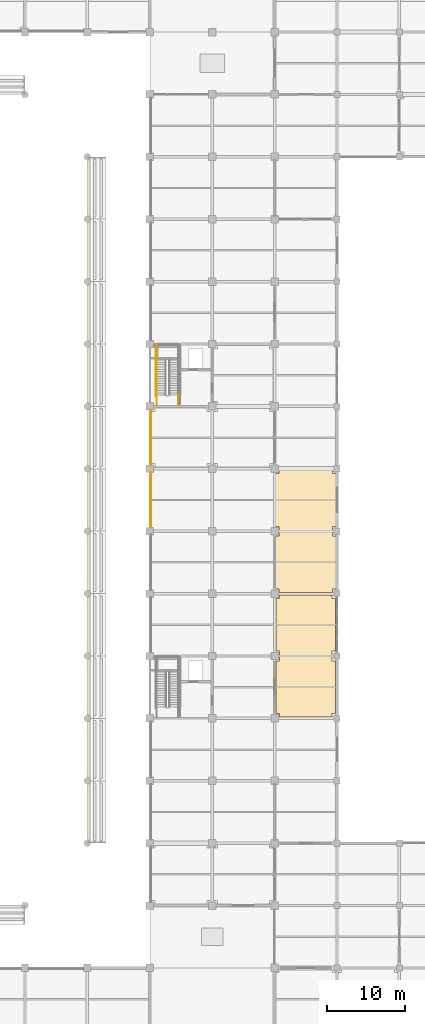
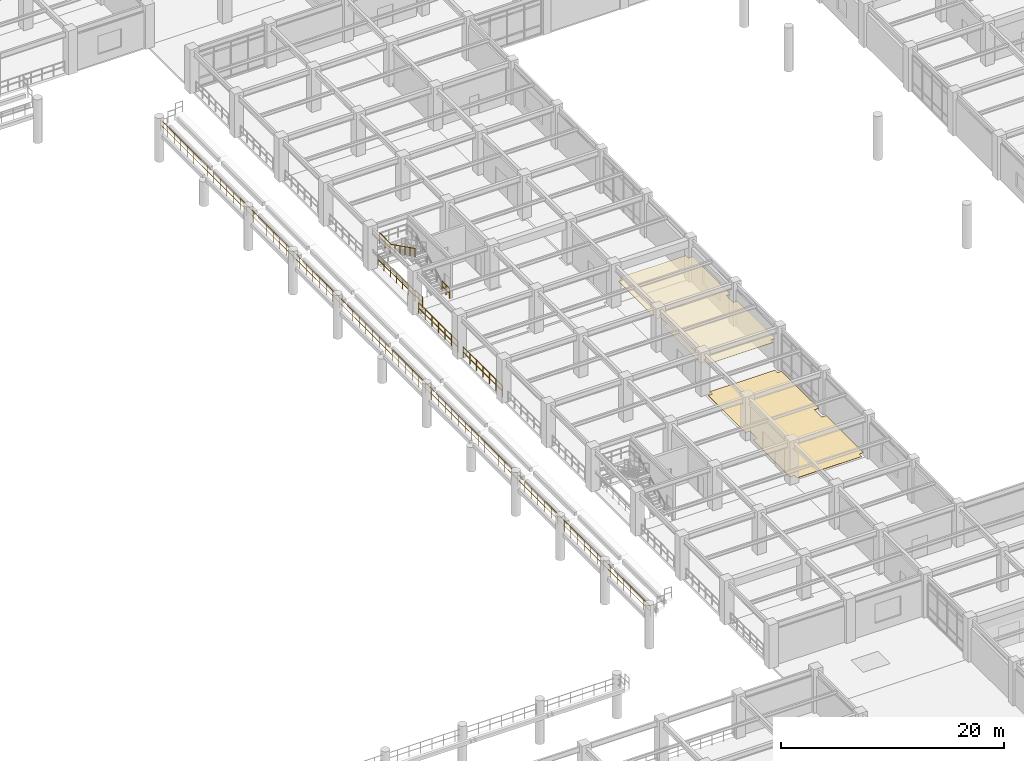
# One storey, part 103 of 109: 8 railings, 2 coverings.
"""IFC4 building model written with IfcOpenShell, lengths in metres."""

from ifc_helpers import new_model, si_unit, direction, frame, origin, origin_2d, place, context, subcontext, project, spatial, polyline, circle, outline, extrude, material, layer, layer_set, type_object, element, save


model = new_model("IFC4")

# Units and contexts
model_context = context("Model", 3, precision=1e-05, world=origin(), true_north=direction((0.0, 1.0)))
body_context = subcontext(model_context, "Body", "Model", "MODEL_VIEW")
ifc_project = project(units=[si_unit("LENGTHUNIT", "METRE"), si_unit("AREAUNIT", "SQUARE_METRE"), si_unit("VOLUMEUNIT", "CUBIC_METRE"), si_unit("PLANEANGLEUNIT", "RADIAN"), si_unit("MASSUNIT", "GRAM", prefix="KILO")], contexts=[model_context])

# Site, building, storey
site_placement = place(None, origin())
site = spatial("IfcSite", under=ifc_project, at=site_placement, CompositionType="ELEMENT")
building_placement = place(site_placement, origin())
building = spatial("IfcBuilding", under=site, at=building_placement, Name="Haebicheon Civic Stadium", CompositionType="ELEMENT")
storey_placement = place(building_placement, frame((0.0, 0.0, 9.60009765625)))
storey = spatial("IfcBuildingStorey", under=building, at=storey_placement, Name="L03", CompositionType="ELEMENT", Elevation=9.60009765625)

# Coverings
ifc_material_1 = material(Name="Perforated mineral-fibre acoustic board", Category="gypsum")
ifc_layer_1 = layer(ifc_material_1, 0.0400390625, Name="Perforated mineral-fibre acoustic board")
ifc_layer_set_1 = layer_set([ifc_layer_1], Name="Perforated mineral-fibre acoustic board")
covering_type_1 = type_object("IfcCoveringType", Name="COV-CLG-AC", PredefinedType="CEILING", material=ifc_layer_set_1)
covering_1_placement = place(storey_placement, frame((0.0, 0.0, 2.809814453125)))
element("IfcCovering", 1, at=covering_1_placement, inside=storey, type_object=covering_type_1, material=ifc_layer_set_1, Name="L03 Community Seminar Room acoustic ceiling", PredefinedType="CEILING", context=body_context, shape_type="SweptSolid", body=[
    extrude(outline(polyline([(160.594970703125, 80.14501953125), (160.594970703125, 80.594970703125), (160.14501953125, 80.594970703125), (160.14501953125, 87.405029296875), (160.594970703125, 87.405029296875), (160.594970703125, 88.594970703125), (160.14501953125, 88.594970703125), (160.14501953125, 95.405029296875), (160.594970703125, 95.405029296875), (160.594970703125, 95.85498046875), (167.405029296875, 95.85498046875), (167.405029296875, 95.405029296875), (167.85498046875, 95.405029296875), (167.85498046875, 88.594970703125), (167.405029296875, 88.594970703125), (167.405029296875, 87.405029296875), (167.85498046875, 87.405029296875), (167.85498046875, 80.594970703125), (167.405029296875, 80.594970703125), (167.405029296875, 80.14501953125), (160.594970703125, 80.14501953125)])), origin(), (0.0, 0.0, 1.0), 0.0400390625),
])
ifc_material_2 = material(Name="Quartz epoxy resin mortar", Category="concrete")
ifc_layer_2 = layer(ifc_material_2, 0.030029296875, Name="Quartz epoxy resin mortar")
ifc_layer_set_2 = layer_set([ifc_layer_2], Name="Quartz epoxy resin mortar")
covering_type_2 = type_object("IfcCoveringType", Name="COV-FLR-EPX", PredefinedType="FLOORING", material=ifc_layer_set_2)
covering_2_placement = place(storey_placement, origin())
element("IfcCovering", 2, at=covering_2_placement, inside=storey, type_object=covering_type_2, material=ifc_layer_set_2, Name="L03 Civic Banquet Hall non-slip floor finish", PredefinedType="FLOORING", context=body_context, shape_type="SweptSolid", body=[
    extrude(outline(polyline([(160.64990234375, 64.199951171875), (160.64990234375, 64.64990234375), (160.199951171875, 64.64990234375), (160.199951171875, 71.35009765625), (160.64990234375, 71.35009765625), (160.64990234375, 72.64990234375), (160.199951171875, 72.64990234375), (160.199951171875, 79.35009765625), (160.64990234375, 79.35009765625), (160.64990234375, 79.800048828125), (167.35009765625, 79.800048828125), (167.35009765625, 79.35009765625), (167.800048828125, 79.35009765625), (167.800048828125, 72.64990234375), (167.35009765625, 72.64990234375), (167.35009765625, 71.35009765625), (167.800048828125, 71.35009765625), (167.800048828125, 64.64990234375), (167.35009765625, 64.64990234375), (167.35009765625, 64.199951171875), (160.64990234375, 64.199951171875)])), origin(), (0.0, 0.0, 1.0), 0.02978515625),
])

# Railings
ifc_material_3 = material(Name="Stainless steel 316 and laminated glass", Category="steel")
railing_type_1 = type_object("IfcRailingType", Name="RL-BAL-1200", PredefinedType="BALUSTRADE", material=ifc_material_3)
for number, where, name in (
    (3, (144.139892578125, 88.47509765625, 0.0), "L03 concourse bowl-edge balustrade 076"),
    (4, (144.139892578125, 96.47509765625, 0.0), "L03 concourse bowl-edge balustrade 077"),
):
    element("IfcRailing", number, at=place(storey_placement, frame(where)), inside=storey, type_object=railing_type_1, material=ifc_material_3, Name=name, PredefinedType="BALUSTRADE", context=body_context, shape_type="SweptSolid", body=[
        extrude(circle(Radius=0.02392578125, at=origin_2d()), frame((0.0, 0.0, 1.17578125), z_axis=(0.0, 1.0, 0.0), x_axis=(-1.0, 0.0, 0.0)), (0.0, 0.0, 1.0), 7.0498046875),
        extrude(circle(Radius=0.02392578125, at=origin_2d()), frame((0.0, 0.0, 0.60009765625), z_axis=(0.0, 1.0, 0.0), x_axis=(-1.0, 0.0, 0.0)), (0.0, 0.0, 1.0), 7.0498046875),
        extrude(circle(Radius=0.02099609375, at=origin_2d()), origin(), (0.0, 0.0, 1.0), 1.15185546875),
        extrude(circle(Radius=0.02099609375, at=origin_2d()), frame((0.0, 1.175048828125, 0.0)), (0.0, 0.0, 1.0), 1.15185546875),
        extrude(circle(Radius=0.02099609375, at=origin_2d()), frame((0.0, 2.349853515625, 0.0)), (0.0, 0.0, 1.0), 1.15185546875),
        extrude(circle(Radius=0.02099609375, at=origin_2d()), frame((0.0, 3.52490234375, 0.0)), (0.0, 0.0, 1.0), 1.15185546875),
        extrude(circle(Radius=0.02099609375, at=origin_2d()), frame((0.0, 4.699951171875, 0.0)), (0.0, 0.0, 1.0), 1.15185546875),
        extrude(circle(Radius=0.02099609375, at=origin_2d()), frame((0.0, 5.874755859375, 0.0)), (0.0, 0.0, 1.0), 1.15185546875),
        extrude(circle(Radius=0.02099609375, at=origin_2d()), frame((0.0, 7.0498046875, 0.0)), (0.0, 0.0, 1.0), 1.15185546875),
    ])
railing_1_placement = place(storey_placement, frame((136.1201171875, 48.06005859375, 3.199951171875)))
element("IfcRailing", 5, at=railing_1_placement, inside=storey, type_object=railing_type_1, material=ifc_material_3, Name="TIER-E-U pitchside sightline balustrade", PredefinedType="BALUSTRADE", context=body_context, shape_type="SweptSolid", body=[
    extrude(circle(Radius=0.02392578125, at=origin_2d()), frame((0.0, 0.0, 1.17578125), z_axis=(0.0, 1.0, 0.0), x_axis=(-1.0, 0.0, 0.0)), (0.0, 0.0, 1.0), 87.8798828125),
    extrude(circle(Radius=0.02392578125, at=origin_2d()), frame((0.0, 0.0, 0.60009765625), z_axis=(0.0, 1.0, 0.0), x_axis=(-1.0, 0.0, 0.0)), (0.0, 0.0, 1.0), 87.8798828125),
    extrude(circle(Radius=0.02099609375, at=origin_2d()), origin(), (0.0, 0.0, 1.0), 1.15185546875),
    extrude(circle(Radius=0.02099609375, at=origin_2d()), frame((0.0, 1.1875, 0.0)), (0.0, 0.0, 1.0), 1.15185546875),
    extrude(circle(Radius=0.02099609375, at=origin_2d()), frame((0.0, 2.375244140625, 0.0)), (0.0, 0.0, 1.0), 1.15185546875),
    extrude(circle(Radius=0.02099609375, at=origin_2d()), frame((0.0, 3.562744140625, 0.0)), (0.0, 0.0, 1.0), 1.15185546875),
    extrude(circle(Radius=0.02099609375, at=origin_2d()), frame((0.0, 4.750244140625, 0.0)), (0.0, 0.0, 1.0), 1.15185546875),
    extrude(circle(Radius=0.02099609375, at=origin_2d()), frame((0.0, 5.937744140625, 0.0)), (0.0, 0.0, 1.0), 1.15185546875),
    extrude(circle(Radius=0.02099609375, at=origin_2d()), frame((0.0, 7.12548828125, 0.0)), (0.0, 0.0, 1.0), 1.15185546875),
    extrude(circle(Radius=0.02099609375, at=origin_2d()), frame((0.0, 8.31298828125, 0.0)), (0.0, 0.0, 1.0), 1.15185546875),
    extrude(circle(Radius=0.02099609375, at=origin_2d()), frame((0.0, 9.50048828125, 0.0)), (0.0, 0.0, 1.0), 1.15185546875),
    extrude(circle(Radius=0.02099609375, at=origin_2d()), frame((0.0, 10.68798828125, 0.0)), (0.0, 0.0, 1.0), 1.15185546875),
    extrude(circle(Radius=0.02099609375, at=origin_2d()), frame((0.0, 11.875732421875, 0.0)), (0.0, 0.0, 1.0), 1.15185546875),
    extrude(circle(Radius=0.02099609375, at=origin_2d()), frame((0.0, 13.063232421875, 0.0)), (0.0, 0.0, 1.0), 1.15185546875),
    extrude(circle(Radius=0.02099609375, at=origin_2d()), frame((0.0, 14.250732421875, 0.0)), (0.0, 0.0, 1.0), 1.15185546875),
    extrude(circle(Radius=0.02099609375, at=origin_2d()), frame((0.0, 15.4384765625, 0.0)), (0.0, 0.0, 1.0), 1.15185546875),
    extrude(circle(Radius=0.02099609375, at=origin_2d()), frame((0.0, 16.6259765625, 0.0)), (0.0, 0.0, 1.0), 1.15185546875),
    extrude(circle(Radius=0.02099609375, at=origin_2d()), frame((0.0, 17.8134765625, 0.0)), (0.0, 0.0, 1.0), 1.15185546875),
    extrude(circle(Radius=0.02099609375, at=origin_2d()), frame((0.0, 19.0009765625, 0.0)), (0.0, 0.0, 1.0), 1.15185546875),
    extrude(circle(Radius=0.02099609375, at=origin_2d()), frame((0.0, 20.188720703125, 0.0)), (0.0, 0.0, 1.0), 1.15185546875),
    extrude(circle(Radius=0.02099609375, at=origin_2d()), frame((0.0, 21.376220703125, 0.0)), (0.0, 0.0, 1.0), 1.15185546875),
    extrude(circle(Radius=0.02099609375, at=origin_2d()), frame((0.0, 22.563720703125, 0.0)), (0.0, 0.0, 1.0), 1.15185546875),
    extrude(circle(Radius=0.02099609375, at=origin_2d()), frame((0.0, 23.751220703125, 0.0)), (0.0, 0.0, 1.0), 1.15185546875),
    extrude(circle(Radius=0.02099609375, at=origin_2d()), frame((0.0, 24.93896484375, 0.0)), (0.0, 0.0, 1.0), 1.15185546875),
    extrude(circle(Radius=0.02099609375, at=origin_2d()), frame((0.0, 26.12646484375, 0.0)), (0.0, 0.0, 1.0), 1.15185546875),
    extrude(circle(Radius=0.02099609375, at=origin_2d()), frame((0.0, 27.31396484375, 0.0)), (0.0, 0.0, 1.0), 1.15185546875),
    extrude(circle(Radius=0.02099609375, at=origin_2d()), frame((0.0, 28.50146484375, 0.0)), (0.0, 0.0, 1.0), 1.15185546875),
    extrude(circle(Radius=0.02099609375, at=origin_2d()), frame((0.0, 29.689208984375, 0.0)), (0.0, 0.0, 1.0), 1.15185546875),
    extrude(circle(Radius=0.02099609375, at=origin_2d()), frame((0.0, 30.876708984375, 0.0)), (0.0, 0.0, 1.0), 1.15185546875),
    extrude(circle(Radius=0.02099609375, at=origin_2d()), frame((0.0, 32.064208984375, 0.0)), (0.0, 0.0, 1.0), 1.15185546875),
    extrude(circle(Radius=0.02099609375, at=origin_2d()), frame((0.0, 33.251953125, 0.0)), (0.0, 0.0, 1.0), 1.15185546875),
    extrude(circle(Radius=0.02099609375, at=origin_2d()), frame((0.0, 34.439453125, 0.0)), (0.0, 0.0, 1.0), 1.15185546875),
    extrude(circle(Radius=0.02099609375, at=origin_2d()), frame((0.0, 35.626953125, 0.0)), (0.0, 0.0, 1.0), 1.15185546875),
    extrude(circle(Radius=0.02099609375, at=origin_2d()), frame((0.0, 36.814453125, 0.0)), (0.0, 0.0, 1.0), 1.15185546875),
    extrude(circle(Radius=0.02099609375, at=origin_2d()), frame((0.0, 38.002197265625, 0.0)), (0.0, 0.0, 1.0), 1.15185546875),
    extrude(circle(Radius=0.02099609375, at=origin_2d()), frame((0.0, 39.189697265625, 0.0)), (0.0, 0.0, 1.0), 1.15185546875),
    extrude(circle(Radius=0.02099609375, at=origin_2d()), frame((0.0, 40.377197265625, 0.0)), (0.0, 0.0, 1.0), 1.15185546875),
    extrude(circle(Radius=0.02099609375, at=origin_2d()), frame((0.0, 41.564697265625, 0.0)), (0.0, 0.0, 1.0), 1.15185546875),
    extrude(circle(Radius=0.02099609375, at=origin_2d()), frame((0.0, 42.75244140625, 0.0)), (0.0, 0.0, 1.0), 1.15185546875),
    extrude(circle(Radius=0.02099609375, at=origin_2d()), frame((0.0, 43.93994140625, 0.0)), (0.0, 0.0, 1.0), 1.15185546875),
    extrude(circle(Radius=0.02099609375, at=origin_2d()), frame((0.0, 45.12744140625, 0.0)), (0.0, 0.0, 1.0), 1.15185546875),
    extrude(circle(Radius=0.02099609375, at=origin_2d()), frame((0.0, 46.315185546875, 0.0)), (0.0, 0.0, 1.0), 1.15185546875),
    extrude(circle(Radius=0.02099609375, at=origin_2d()), frame((0.0, 47.502685546875, 0.0)), (0.0, 0.0, 1.0), 1.15185546875),
    extrude(circle(Radius=0.02099609375, at=origin_2d()), frame((0.0, 48.690185546875, 0.0)), (0.0, 0.0, 1.0), 1.15185546875),
    extrude(circle(Radius=0.02099609375, at=origin_2d()), frame((0.0, 49.877685546875, 0.0)), (0.0, 0.0, 1.0), 1.15185546875),
    extrude(circle(Radius=0.02099609375, at=origin_2d()), frame((0.0, 51.0654296875, 0.0)), (0.0, 0.0, 1.0), 1.15185546875),
    extrude(circle(Radius=0.02099609375, at=origin_2d()), frame((0.0, 52.2529296875, 0.0)), (0.0, 0.0, 1.0), 1.15185546875),
    extrude(circle(Radius=0.02099609375, at=origin_2d()), frame((0.0, 53.4404296875, 0.0)), (0.0, 0.0, 1.0), 1.15185546875),
    extrude(circle(Radius=0.02099609375, at=origin_2d()), frame((0.0, 54.6279296875, 0.0)), (0.0, 0.0, 1.0), 1.15185546875),
    extrude(circle(Radius=0.02099609375, at=origin_2d()), frame((0.0, 55.815673828125, 0.0)), (0.0, 0.0, 1.0), 1.15185546875),
    extrude(circle(Radius=0.02099609375, at=origin_2d()), frame((0.0, 57.003173828125, 0.0)), (0.0, 0.0, 1.0), 1.15185546875),
    extrude(circle(Radius=0.02099609375, at=origin_2d()), frame((0.0, 58.190673828125, 0.0)), (0.0, 0.0, 1.0), 1.15185546875),
    extrude(circle(Radius=0.02099609375, at=origin_2d()), frame((0.0, 59.37841796875, 0.0)), (0.0, 0.0, 1.0), 1.15185546875),
    extrude(circle(Radius=0.02099609375, at=origin_2d()), frame((0.0, 60.56591796875, 0.0)), (0.0, 0.0, 1.0), 1.15185546875),
    extrude(circle(Radius=0.02099609375, at=origin_2d()), frame((0.0, 61.75341796875, 0.0)), (0.0, 0.0, 1.0), 1.15185546875),
    extrude(circle(Radius=0.02099609375, at=origin_2d()), frame((0.0, 62.94091796875, 0.0)), (0.0, 0.0, 1.0), 1.15185546875),
    extrude(circle(Radius=0.02099609375, at=origin_2d()), frame((0.0, 64.128662109375, 0.0)), (0.0, 0.0, 1.0), 1.15185546875),
    extrude(circle(Radius=0.02099609375, at=origin_2d()), frame((0.0, 65.316162109375, 0.0)), (0.0, 0.0, 1.0), 1.15185546875),
    extrude(circle(Radius=0.02099609375, at=origin_2d()), frame((0.0, 66.503662109375, 0.0)), (0.0, 0.0, 1.0), 1.15185546875),
    extrude(circle(Radius=0.02099609375, at=origin_2d()), frame((0.0, 67.691162109375, 0.0)), (0.0, 0.0, 1.0), 1.15185546875),
    extrude(circle(Radius=0.02099609375, at=origin_2d()), frame((0.0, 68.87890625, 0.0)), (0.0, 0.0, 1.0), 1.15185546875),
    extrude(circle(Radius=0.02099609375, at=origin_2d()), frame((0.0, 70.06640625, 0.0)), (0.0, 0.0, 1.0), 1.15185546875),
    extrude(circle(Radius=0.02099609375, at=origin_2d()), frame((0.0, 71.25390625, 0.0)), (0.0, 0.0, 1.0), 1.15185546875),
    extrude(circle(Radius=0.02099609375, at=origin_2d()), frame((0.0, 72.44140625, 0.0)), (0.0, 0.0, 1.0), 1.15185546875),
    extrude(circle(Radius=0.02099609375, at=origin_2d()), frame((0.0, 73.629150390625, 0.0)), (0.0, 0.0, 1.0), 1.15185546875),
    extrude(circle(Radius=0.02099609375, at=origin_2d()), frame((0.0, 74.816650390625, 0.0)), (0.0, 0.0, 1.0), 1.15185546875),
    extrude(circle(Radius=0.02099609375, at=origin_2d()), frame((0.0, 76.004150390625, 0.0)), (0.0, 0.0, 1.0), 1.15185546875),
    extrude(circle(Radius=0.02099609375, at=origin_2d()), frame((0.0, 77.19189453125, 0.0)), (0.0, 0.0, 1.0), 1.15185546875),
    extrude(circle(Radius=0.02099609375, at=origin_2d()), frame((0.0, 78.37939453125, 0.0)), (0.0, 0.0, 1.0), 1.15185546875),
    extrude(circle(Radius=0.02099609375, at=origin_2d()), frame((0.0, 79.56689453125, 0.0)), (0.0, 0.0, 1.0), 1.15185546875),
    extrude(circle(Radius=0.02099609375, at=origin_2d()), frame((0.0, 80.75439453125, 0.0)), (0.0, 0.0, 1.0), 1.15185546875),
    extrude(circle(Radius=0.02099609375, at=origin_2d()), frame((0.0, 81.942138671875, 0.0)), (0.0, 0.0, 1.0), 1.15185546875),
    extrude(circle(Radius=0.02099609375, at=origin_2d()), frame((0.0, 83.129638671875, 0.0)), (0.0, 0.0, 1.0), 1.15185546875),
    extrude(circle(Radius=0.02099609375, at=origin_2d()), frame((0.0, 84.317138671875, 0.0)), (0.0, 0.0, 1.0), 1.15185546875),
    extrude(circle(Radius=0.02099609375, at=origin_2d()), frame((0.0, 85.504638671875, 0.0)), (0.0, 0.0, 1.0), 1.15185546875),
    extrude(circle(Radius=0.02099609375, at=origin_2d()), frame((0.0, 86.6923828125, 0.0)), (0.0, 0.0, 1.0), 1.15185546875),
    extrude(circle(Radius=0.02099609375, at=origin_2d()), frame((0.0, 87.8798828125, 0.0)), (0.0, 0.0, 1.0), 1.15185546875),
])
ifc_material_4 = material(Name="Galvanised painted steel SM355", Category="steel")
railing_type_2 = type_object("IfcRailingType", Name="RL-GRD-1150", PredefinedType="GUARDRAIL", material=ifc_material_4)
railing_2_placement = place(storey_placement, frame((144.889892578125, 109.949951171875, 2.39990234375)))
element("IfcRailing", 6, at=railing_2_placement, inside=storey, type_object=railing_type_2, material=ifc_material_4, Name="L03 ST-11 stair guard 4", PredefinedType="GUARDRAIL", context=body_context, shape_type="SweptSolid", body=[
    extrude(circle(Radius=0.02392578125, at=origin_2d()), frame((0.0, 0.0, 1.1259765625), z_axis=(0.0, 1.0, 0.0), x_axis=(-1.0, 0.0, 0.0)), (0.0, 0.0, 1.0), 1.89013671875),
    extrude(circle(Radius=0.02392578125, at=origin_2d()), frame((0.0, 0.0, 0.574951171875), z_axis=(0.0, 1.0, 0.0), x_axis=(-1.0, 0.0, 0.0)), (0.0, 0.0, 1.0), 1.89013671875),
    extrude(circle(Radius=0.02099609375, at=origin_2d()), origin(), (0.0, 0.0, 1.0), 1.101806640625),
    extrude(circle(Radius=0.02099609375, at=origin_2d()), frame((0.0, 0.945068359375, 0.0)), (0.0, 0.0, 1.0), 1.101806640625),
    extrude(circle(Radius=0.02099609375, at=origin_2d()), frame((0.0, 1.89013671875, 0.0)), (0.0, 0.0, 1.0), 1.101806640625),
])
for number, where, name in (
    (7, (147.68994140625, 104.159912109375, 0.0), "L03 ST-11 stair guard 8"),
    (8, (144.889892578125, 104.159912109375, 0.0), "L03 ST-11 stair guard 9"),
):
    element("IfcRailing", number, at=place(storey_placement, frame(where)), inside=storey, type_object=railing_type_2, material=ifc_material_4, Name=name, PredefinedType="GUARDRAIL", context=body_context, shape_type="SweptSolid", body=[
        extrude(circle(Radius=0.02392578125, at=origin_2d()), frame((0.0, 0.0, 1.1259765625), z_axis=(0.0, 1.0, 0.0), x_axis=(-1.0, 0.0, 0.0)), (0.0, 0.0, 1.0), 1.2900390625),
        extrude(circle(Radius=0.02392578125, at=origin_2d()), frame((0.0, 0.0, 0.574951171875), z_axis=(0.0, 1.0, 0.0), x_axis=(-1.0, 0.0, 0.0)), (0.0, 0.0, 1.0), 1.2900390625),
        extrude(circle(Radius=0.02099609375, at=origin_2d()), origin(), (0.0, 0.0, 1.0), 1.101806640625),
        extrude(circle(Radius=0.02099609375, at=origin_2d()), frame((0.0, 0.64501953125, 0.0)), (0.0, 0.0, 1.0), 1.101806640625),
        extrude(circle(Radius=0.02099609375, at=origin_2d()), frame((0.0, 1.2900390625, 0.0)), (0.0, 0.0, 1.0), 1.101806640625),
    ])
railing_3_placement = place(storey_placement, frame((144.7900390625, 105.35009765625, 0.0)))
element("IfcRailing", 9, at=railing_3_placement, inside=storey, type_object=railing_type_2, material=ifc_material_4, Name="L03 ST-11 stair guard 11", PredefinedType="GUARDRAIL", context=body_context, shape_type="SweptSolid", body=[
    extrude(circle(Radius=0.02392578125, at=origin_2d()), frame((0.0, 0.0, 1.1259765625), z_axis=(0.0, 1.0, 0.0), x_axis=(-1.0, 0.0, 0.0)), (0.0, 0.0, 1.0), 6.58984375),
    extrude(circle(Radius=0.02392578125, at=origin_2d()), frame((0.0, 0.0, 0.574951171875), z_axis=(0.0, 1.0, 0.0), x_axis=(-1.0, 0.0, 0.0)), (0.0, 0.0, 1.0), 6.58984375),
    extrude(circle(Radius=0.02099609375, at=origin_2d()), origin(), (0.0, 0.0, 1.0), 1.101806640625),
    extrude(circle(Radius=0.02099609375, at=origin_2d()), frame((0.0, 1.098388671875, 0.0)), (0.0, 0.0, 1.0), 1.101806640625),
    extrude(circle(Radius=0.02099609375, at=origin_2d()), frame((0.0, 2.196533203125, 0.0)), (0.0, 0.0, 1.0), 1.101806640625),
    extrude(circle(Radius=0.02099609375, at=origin_2d()), frame((0.0, 3.294921875, 0.0)), (0.0, 0.0, 1.0), 1.101806640625),
    extrude(circle(Radius=0.02099609375, at=origin_2d()), frame((0.0, 4.393310546875, 0.0)), (0.0, 0.0, 1.0), 1.101806640625),
    extrude(circle(Radius=0.02099609375, at=origin_2d()), frame((0.0, 5.491455078125, 0.0)), (0.0, 0.0, 1.0), 1.101806640625),
    extrude(circle(Radius=0.02099609375, at=origin_2d()), frame((0.0, 6.58984375, 0.0)), (0.0, 0.0, 1.0), 1.101806640625),
])
ifc_material_5 = material(Name="Stainless steel 316", Category="steel")
railing_type_3 = type_object("IfcRailingType", Name="RL-HND-900", PredefinedType="HANDRAIL", material=ifc_material_5)
railing_4_placement = place(storey_placement, frame((144.889892578125, 109.949951171875, 2.5498046875)))
element("IfcRailing", 10, at=railing_4_placement, inside=storey, type_object=railing_type_3, material=ifc_material_5, Name="L03 ST-11 stair handrail 2", PredefinedType="HANDRAIL", context=body_context, shape_type="SweptSolid", body=[
    extrude(circle(Radius=0.02392578125, at=origin_2d()), frame((0.0, 0.0, 0.8759765625), z_axis=(0.0, -0.894427191, 0.4472135955), x_axis=(1.0, 0.0, 0.0)), (0.0, 0.0, 1.0), 5.03125),
    extrude(circle(Radius=0.02099609375, at=origin_2d()), origin(), (0.0, 0.0, 1.0), 0.851806640625),
    extrude(circle(Radius=0.02099609375, at=origin_2d()), frame((0.0, -0.89990234375, 0.449951171875)), (0.0, 0.0, 1.0), 0.851806640625),
    extrude(circle(Radius=0.02099609375, at=origin_2d()), frame((0.0, -1.800048828125, 0.89990234375)), (0.0, 0.0, 1.0), 0.851806640625),
    extrude(circle(Radius=0.02099609375, at=origin_2d()), frame((0.0, -2.699951171875, 1.35009765625)), (0.0, 0.0, 1.0), 0.851806640625),
    extrude(circle(Radius=0.02099609375, at=origin_2d()), frame((0.0, -3.60009765625, 1.800048828125)), (0.0, 0.0, 1.0), 0.851806640625),
    extrude(circle(Radius=0.02099609375, at=origin_2d()), frame((0.0, -4.5, 2.25)), (0.0, 0.0, 1.0), 0.851806640625),
])

save(model, "model.ifc")
